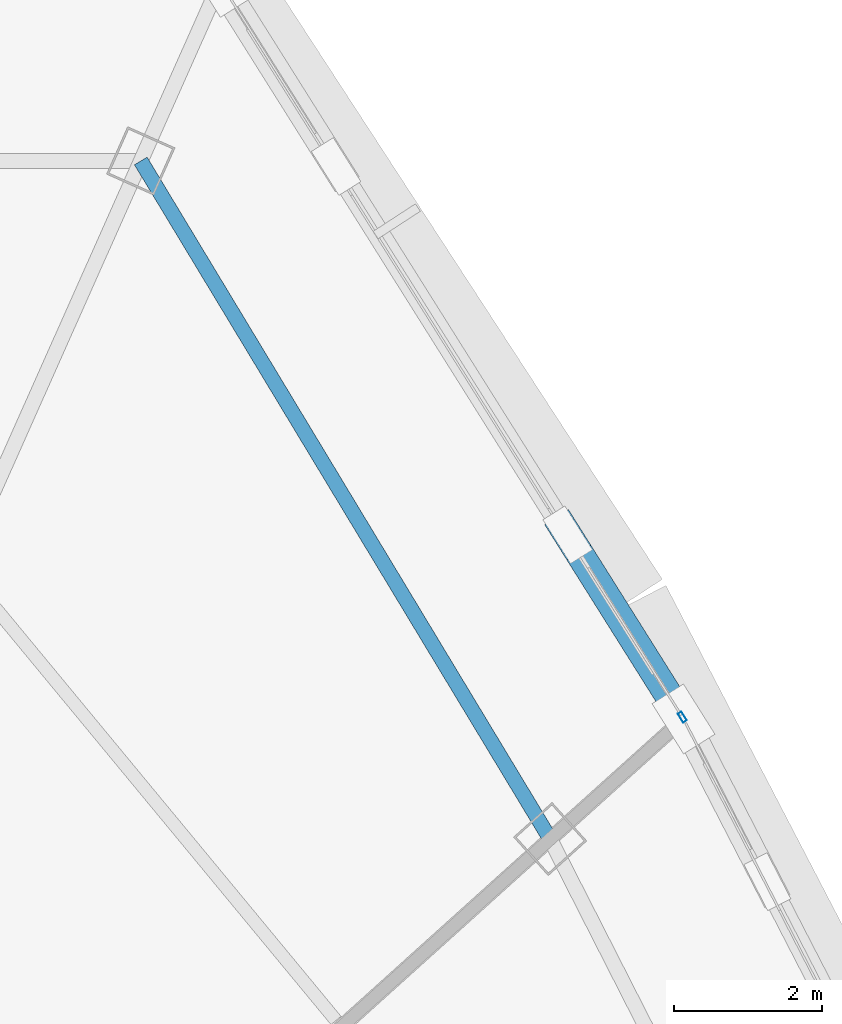
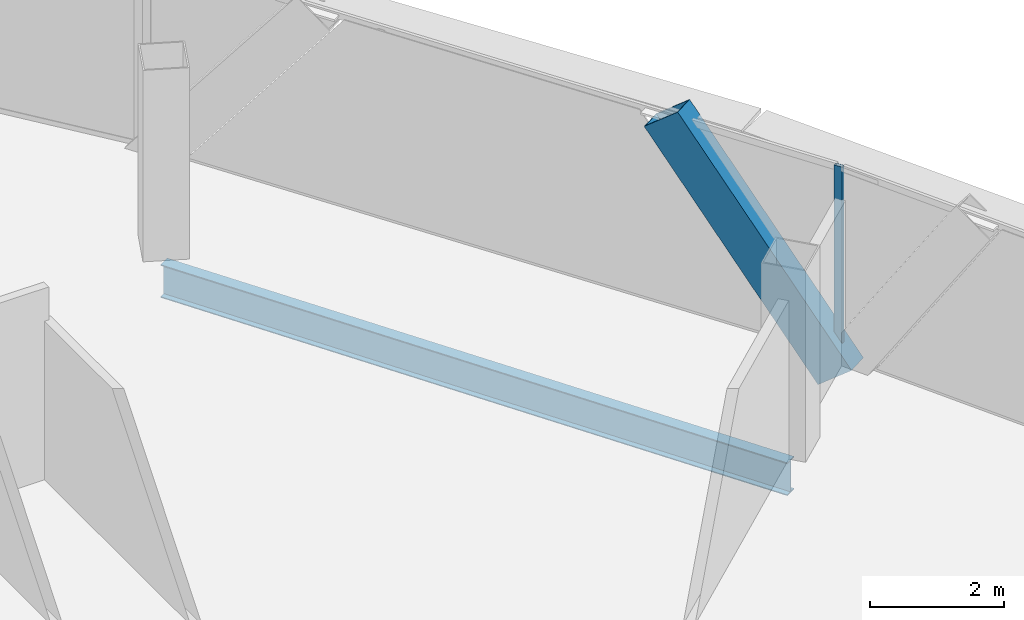
# One storey, part 15 of 30: 2 members, 1 beam, 1 element without a shape of its own.
"""IFC4 building model written with IfcOpenShell, lengths in metres."""

from ifc_helpers import new_model, si_unit, direction, frame, origin, origin_2d, place, context, subcontext, project, spatial, hollow_rectangle, i_section, extrude, source, transform, mapped, material, layer, layer_set, material_profile, profile_set, type_object, element, aggregate, save


model = new_model("IFC4")

# Units and contexts
model_context = context("Model", 3, precision=1e-05, world=origin(), true_north=direction((0.0, 1.0)))
body_context = subcontext(model_context, "Body", "Model", "MODEL_VIEW")
ifc_project = project(units=[si_unit("LENGTHUNIT", "METRE"), si_unit("AREAUNIT", "SQUARE_METRE"), si_unit("VOLUMEUNIT", "CUBIC_METRE"), si_unit("PLANEANGLEUNIT", "RADIAN"), si_unit("MASSUNIT", "GRAM", prefix="KILO"), si_unit("THERMODYNAMICTEMPERATUREUNIT", "KELVIN"), si_unit("POWERUNIT", "WATT")], contexts=[model_context])

# Site, building, storey
site_placement = place(None, origin())
site = spatial("IfcSite", under=ifc_project, at=site_placement, CompositionType="ELEMENT")
building_placement = place(site_placement, origin())
building = spatial("IfcBuilding", under=site, at=building_placement, Name="Yunzhuo Pagoda Commons", CompositionType="ELEMENT")
storey_placement = place(building_placement, frame((0.0, 0.0, 351.760009765625)))
storey = spatial("IfcBuildingStorey", under=building, at=storey_placement, Name="L88", CompositionType="ELEMENT", Elevation=351.760009765625)

# Beam
ifc_material_1 = material(Name="Structural steel Q355B", Category="steel")
ifc_material_profile_1 = material_profile(ifc_material_1, i_section(OverallWidth=0.199951171875, OverallDepth=0.60009765625, WebThickness=0.010986328125, FlangeThickness=0.01708984375, at=origin_2d()), Name="Structural steel Q355B")
ifc_profile_set_1 = profile_set([ifc_material_profile_1], Name="Structural steel Q355B")
beam_type = type_object("IfcBeamType", Name="B-RG3 Beam HN 600x200x11x17", PredefinedType="BEAM", material=ifc_profile_set_1)
shared_shape_1 = source(origin(), body_context, "Body", "SweptSolid", [
    extrude(i_section(OverallWidth=0.199951171875, OverallDepth=0.60009765625, WebThickness=0.010986328125, FlangeThickness=0.01708984375, at=origin_2d()), origin(), (0.0, 0.0, 1.0), 10.691162109375),
])
beam_placement = place(storey_placement, frame((64.024658203125, 48.128662109375, -0.56005859375), z_axis=(-0.516864678433, 0.856067114301, 0.0), x_axis=(-0.856067114301, -0.516864678433, 0.0)))
element("IfcBeam", 1, at=beam_placement, inside=storey, type_object=beam_type, Name="L88 column-ring beam 7", PredefinedType="BEAM", context=body_context, shape_type="MappedRepresentation", body=[
    mapped(shared_shape_1, transform((0.0, 0.0, 0.0), scale=1.0)),
])

# Member
ifc_material_profile_2 = material_profile(ifc_material_1, hollow_rectangle(XDim=0.3798828125, YDim=0.719970703125, WallThickness=0.02001953125, at=origin_2d()), Name="Structural steel Q355B")
ifc_profile_set_2 = profile_set([ifc_material_profile_2], Name="Structural steel Q355B")
member_type_1 = type_object("IfcMemberType", Name="M-DL3 Brace BOX 720x380x20", PredefinedType="BRACE", material=ifc_profile_set_2)
shared_shape_2 = source(origin(), body_context, "Body", "SweptSolid", [
    extrude(hollow_rectangle(XDim=0.3798828125, YDim=0.719970703125, WallThickness=0.02001953125, at=origin_2d()), origin(), (0.0, 0.0, 1.0), 4.7626953125),
])
member_1_placement = place(storey_placement, frame((65.824462890625, 49.749267578125, -0.260009765625), z_axis=(-0.328170512909, 0.521884409861, 0.787363179988), x_axis=(-0.846542342318, -0.532321390386, 0.0)))
element("IfcMember", 2, at=member_1_placement, inside=storey, type_object=member_type_1, Name="L88 facade diamond brace F2.3L", PredefinedType="BRACE", context=body_context, shape_type="MappedRepresentation", body=[
    mapped(shared_shape_2, transform((0.0, 0.0, 0.0), scale=1.0)),
])

# Curtain wall, member
ifc_material_2 = material(Name="Anodized aluminium 6063-T6", Category="aluminium")
ifc_layer = layer(ifc_material_2, 0.139892578125)
ifc_layer_set = layer_set([ifc_layer], Name="Anodized aluminium 6063-T6")
curtain_wall_type = type_object("IfcCurtainWallType", Name="CW-HI High-Zone Ribbon Curtain Wall", PredefinedType="NOTDEFINED", material=ifc_layer_set)
curtain_wall_placement = place(storey_placement, origin())
curtain_wall = element("IfcCurtainWall", 3, at=curtain_wall_placement, inside=storey, type_object=curtain_wall_type, Name="L88 curtain wall CW-L88-F2B4", PredefinedType="NOTDEFINED")
ifc_material_profile_3 = material_profile(ifc_material_2, hollow_rectangle(XDim=0.06005859375, YDim=0.139892578125, WallThickness=0.00341796875, at=origin_2d()), Name="Anodized aluminium 6063-T6")
ifc_profile_set_3 = profile_set([ifc_material_profile_3], Name="Anodized aluminium 6063-T6")
member_type_2 = type_object("IfcMemberType", Name="CW-HI-M Mullion RHS 140x60x3.5", PredefinedType="MULLION", material=ifc_profile_set_3)
shared_shape_3 = source(origin(), body_context, "Body", "SweptSolid", [
    extrude(hollow_rectangle(XDim=0.06005859375, YDim=0.139892578125, WallThickness=0.00341796875, at=origin_2d()), origin(), (0.0, 0.0, 1.0), 3.489990234375),
])
member_2_placement = place(storey_placement, frame((65.80859375, 49.774658203125, 0.0), z_axis=(0.0, 0.0, 1.0), x_axis=(-0.846524621891, -0.532349569861, 0.0)))
member_2 = element("IfcMember", 4, at=member_2_placement, type_object=member_type_2, Name="CW mullion 1", PredefinedType="MULLION", context=body_context, shape_type="MappedRepresentation", body=[
    mapped(shared_shape_3, transform((0.0, 0.0, 0.0), scale=1.0)),
])
aggregate(curtain_wall, [member_2])

save(model, "model.ifc")
